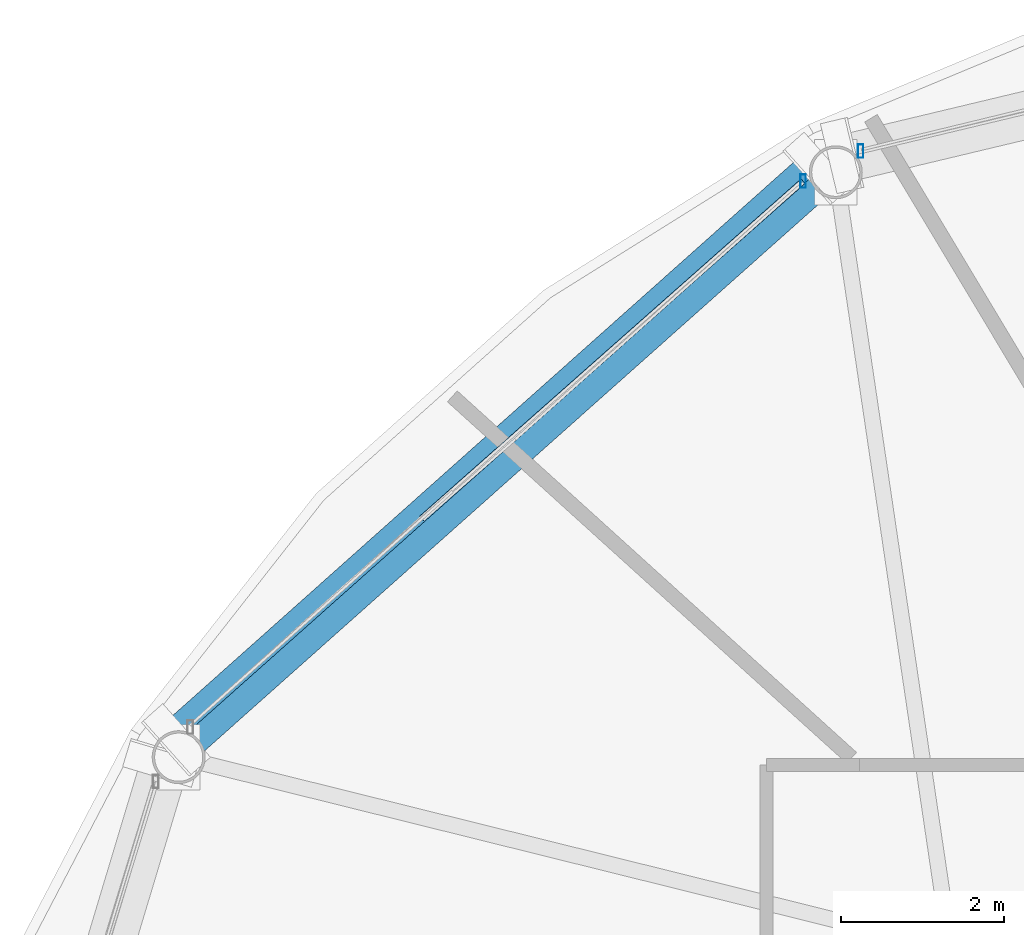
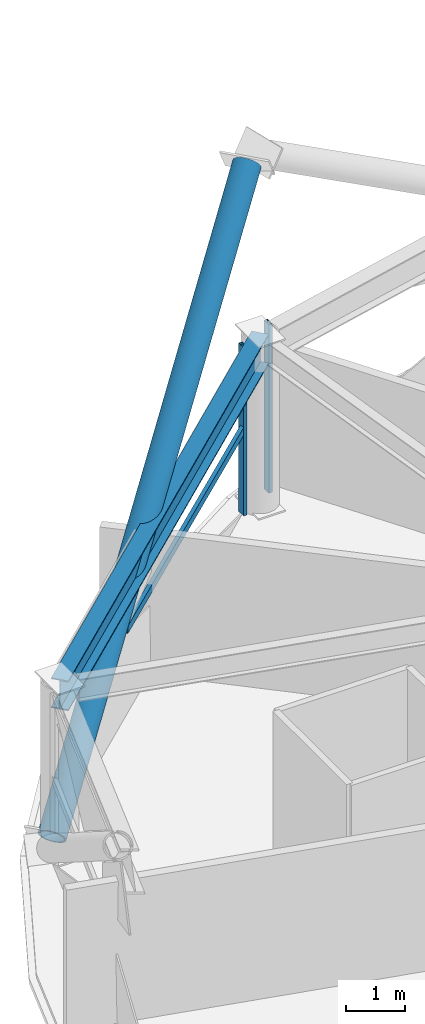
# One storey, part 16 of 29: 4 members, 1 beam, 2 elements without a shape of their own.
"""IFC4 building model written with IfcOpenShell, lengths in metres."""

from ifc_helpers import new_model, si_unit, direction, frame, origin, origin_2d, place, context, subcontext, project, spatial, hollow_rectangle, hollow_circle, i_section, extrude, material, layer, layer_set, material_profile, profile_set, type_object, element, aggregate, save


model = new_model("IFC4")

# Units and contexts
model_context = context("Model", 3, precision=1e-05, world=origin(), true_north=direction((0.0, 1.0)))
body_context = subcontext(model_context, "Body", "Model", "MODEL_VIEW")
ifc_project = project(units=[si_unit("LENGTHUNIT", "METRE"), si_unit("AREAUNIT", "SQUARE_METRE"), si_unit("VOLUMEUNIT", "CUBIC_METRE"), si_unit("PLANEANGLEUNIT", "RADIAN"), si_unit("MASSUNIT", "GRAM", prefix="KILO")], contexts=[model_context])

# Site, building, storey
site_placement = place(None, origin())
site = spatial("IfcSite", under=ifc_project, at=site_placement, CompositionType="ELEMENT")
building_placement = place(site_placement, origin())
building = spatial("IfcBuilding", under=site, at=building_placement, Name="Vantalir Tower", CompositionType="ELEMENT")
storey_placement = place(building_placement, frame((0.0, 0.0, 219.89990234375)))
storey = spatial("IfcBuildingStorey", under=building, at=storey_placement, Name="L55", CompositionType="ELEMENT", Elevation=219.89990234375)

# Beam
ifc_material_1 = material(Name="Steel S460", Category="steel")
ifc_material_profile_1 = material_profile(ifc_material_1, i_section(OverallWidth=0.306884765625, OverallDepth=0.6201171875, WebThickness=0.01416015625, FlangeThickness=0.023681640625, at=origin_2d()), Name="Steel S460")
ifc_profile_set_1 = profile_set([ifc_material_profile_1], Name="Steel S460")
beam_type = type_object("IfcBeamType", Name="BM-RG-610x305", PredefinedType="USERDEFINED", material=ifc_profile_set_1)
beam_placement = place(storey_placement, frame((20.493896484375, 41.970947265625, 3.260009765625), z_axis=(-0.746934658409, -0.664897447782, 0.0), x_axis=(0.664897447782, -0.746934658409, 0.0)))
element("IfcBeam", 1, at=beam_placement, inside=storey, type_object=beam_type, Name="L55 Circumferential Ring Girder 05", ObjectType="GIRDER", PredefinedType="USERDEFINED", context=body_context, shape_type="SweptSolid", body=[
    extrude(i_section(OverallWidth=0.306884765625, OverallDepth=0.6201171875, WebThickness=0.01416015625, FlangeThickness=0.023681640625, at=origin_2d()), origin(), (0.0, 0.0, 1.0), 10.787841796875),
])

# Curtain wall, member
ifc_material_2 = material(Name="Champagne-silver PVDF aluminium and double-silver Low-E glass", Category="aluminium")
ifc_layer = layer(ifc_material_2, 0.2099609375)
ifc_layer_set = layer_set([ifc_layer], Name="Champagne-silver PVDF aluminium and double-silver Low-E glass")
curtain_wall_type = type_object("IfcCurtainWallType", Name="CW-DIAMOND-Z3", PredefinedType="USERDEFINED", material=ifc_layer_set)
curtain_wall_1_placement = place(storey_placement, origin())
curtain_wall_1 = element("IfcCurtainWall", 2, at=curtain_wall_1_placement, inside=storey, type_object=curtain_wall_type, Name="L55 Quilted Pyramid-Diamond Curtain Wall S04", ObjectType="UNITISED CURTAIN WALL", PredefinedType="USERDEFINED")
ifc_material_3 = material(Name="Champagne-silver PVDF aluminium 6063-T6", Category="aluminium")
ifc_material_profile_2 = material_profile(ifc_material_3, hollow_rectangle(XDim=0.070068359375, YDim=0.1650390625, WallThickness=0.00390625, at=origin_2d()), Name="Champagne-silver PVDF aluminium 6063-T6")
ifc_profile_set_2 = profile_set([ifc_material_profile_2], Name="Champagne-silver PVDF aluminium 6063-T6")
member_type_1 = type_object("IfcMemberType", Name="CWM-165x70", PredefinedType="MULLION", material=ifc_profile_set_2)
member_1_placement = place(storey_placement, frame((20.798095703125, 42.22998046875, 0.045166015625), z_axis=(0.0, 0.0, 1.0), x_axis=(1.0, 0.0, 0.0)))
member_1 = element("IfcMember", 3, at=member_1_placement, type_object=member_type_1, Name="CW-L55-S04 Mullion 2", PredefinedType="MULLION", context=body_context, shape_type="SweptSolid", body=[
    extrude(hollow_rectangle(XDim=0.070068359375, YDim=0.1650390625, WallThickness=0.00390625, at=origin_2d()), origin(), (0.0, 0.0, 1.0), 3.47998046875),
])
aggregate(curtain_wall_1, [member_1])

# Curtain wall, members
curtain_wall_2_placement = place(storey_placement, origin())
curtain_wall_2 = element("IfcCurtainWall", 4, at=curtain_wall_2_placement, inside=storey, type_object=curtain_wall_type, Name="L55 Quilted Pyramid-Diamond Curtain Wall S05", ObjectType="UNITISED CURTAIN WALL", PredefinedType="USERDEFINED")
member_2_placement = place(storey_placement, frame((20.093017578125, 41.862060546875, 0.045166015625), z_axis=(0.0, 0.0, 1.0), x_axis=(1.0, 0.0, 0.0)))
member_2 = element("IfcMember", 5, at=member_2_placement, type_object=member_type_1, Name="CW-L55-S05 Mullion 1", PredefinedType="MULLION", context=body_context, shape_type="SweptSolid", body=[
    extrude(hollow_rectangle(XDim=0.070068359375, YDim=0.1650390625, WallThickness=0.00390625, at=origin_2d()), origin(), (0.0, 0.0, 1.0), 3.47998046875),
])
ifc_material_profile_3 = material_profile(ifc_material_3, hollow_rectangle(XDim=0.074951171875, YDim=0.159912109375, WallThickness=0.00390625, at=origin_2d()), Name="Champagne-silver PVDF aluminium 6063-T6")
ifc_profile_set_3 = profile_set([ifc_material_profile_3], Name="Champagne-silver PVDF aluminium 6063-T6")
member_type_2 = type_object("IfcMemberType", Name="CWT-160x75", PredefinedType="USERDEFINED", material=ifc_profile_set_3)
member_3_placement = place(storey_placement, frame((20.093017578125, 41.862060546875, 1.78515625), z_axis=(-0.74909579977, -0.662461683999, 0.0), x_axis=(0.662461683999, -0.74909579977, 0.0)))
member_3 = element("IfcMember", 6, at=member_3_placement, type_object=member_type_2, Name="CW-L55-S05 Pyramid Fold Ridge Transom", ObjectType="TRANSOM", PredefinedType="USERDEFINED", context=body_context, shape_type="SweptSolid", body=[
    extrude(hollow_rectangle(XDim=0.074951171875, YDim=0.159912109375, WallThickness=0.00390625, at=origin_2d()), origin(), (0.0, 0.0, 1.0), 6.244873046875),
])
aggregate(curtain_wall_2, [member_2, member_3])

# Member
ifc_material_profile_4 = material_profile(ifc_material_1, hollow_circle(Radius=0.25, WallThickness=0.031982421875, at=origin_2d()), Name="Steel S460")
ifc_profile_set_4 = profile_set([ifc_material_profile_4], Name="Steel S460")
member_type_3 = type_object("IfcMemberType", Name="MEM-DB-500x32", PredefinedType="BRACE", material=ifc_profile_set_4)
member_4_placement = place(storey_placement, frame((12.408935546875, 35.014892578125, 0.201171875), z_axis=(0.623765168596, 0.555854156334, 0.549493558955), x_axis=(-0.665296850407, 0.746578931419, 0.0)))
element("IfcMember", 7, at=member_4_placement, inside=storey, type_object=member_type_3, Name="L55 Perimeter S460 Diagrid Brace R16R", PredefinedType="BRACE", context=body_context, shape_type="SweptSolid", body=[
    extrude(hollow_circle(Radius=0.25, WallThickness=0.031982421875, at=origin_2d()), origin(), (0.0, 0.0, 1.0), 12.589599609375),
])

save(model, "model.ifc")
